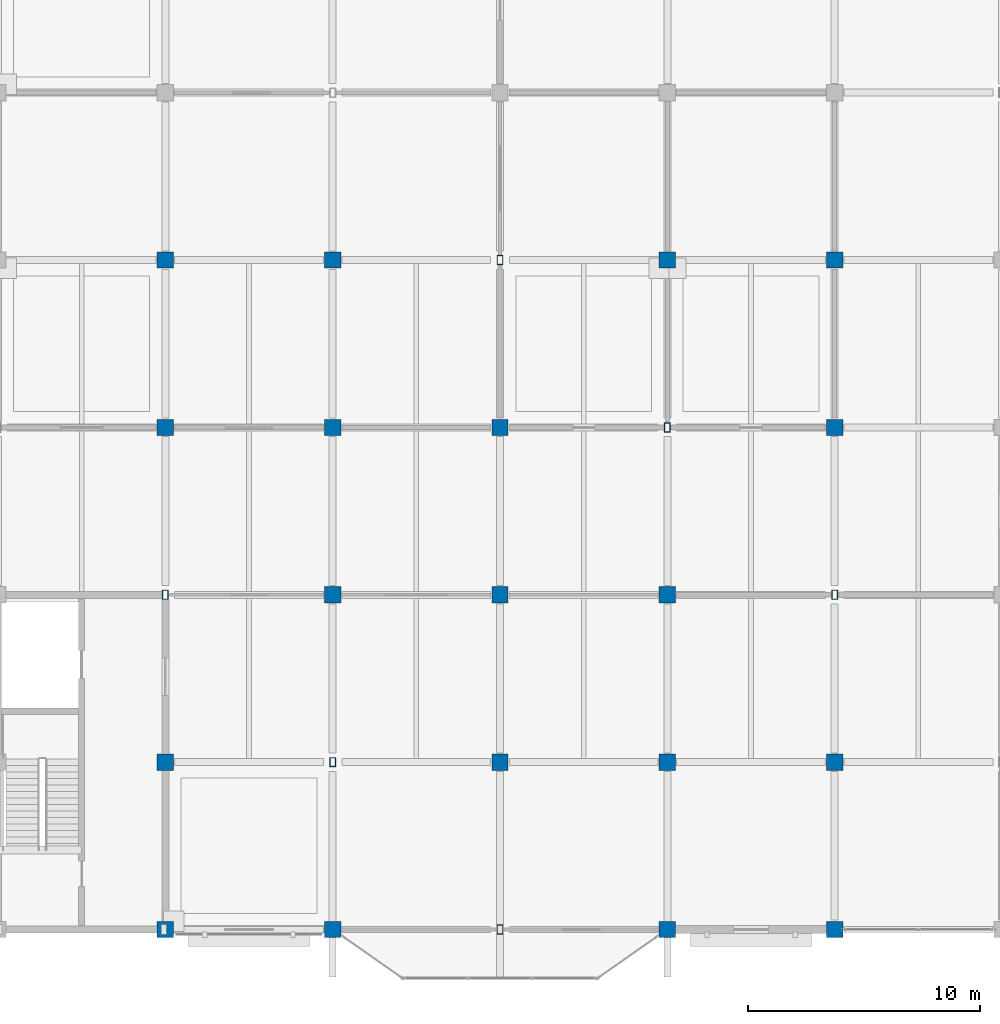
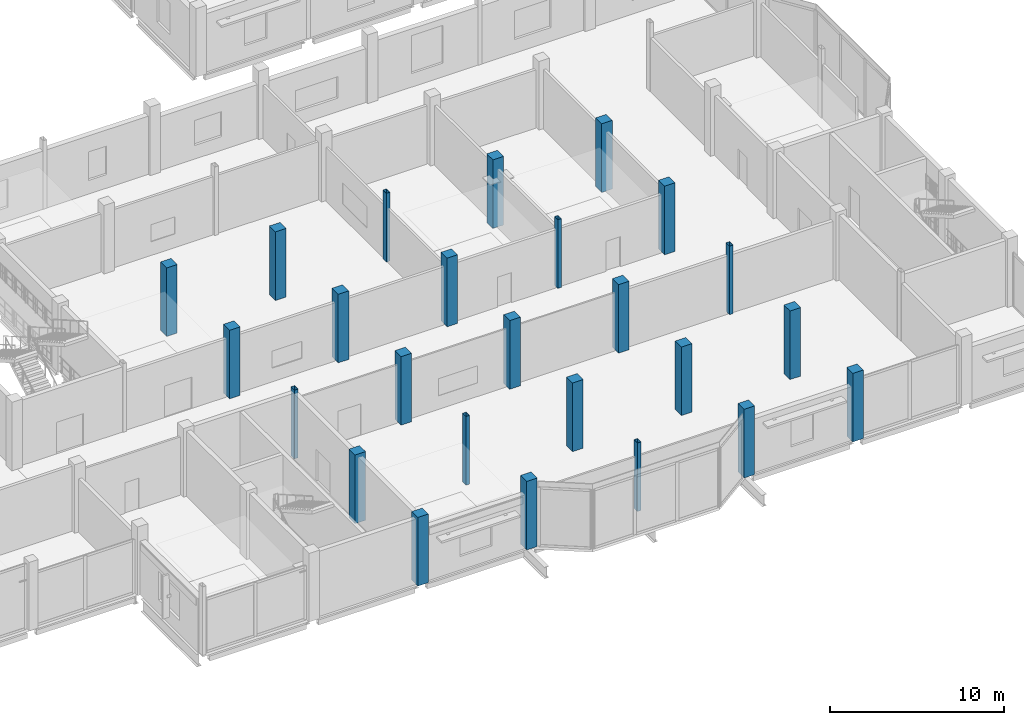
# One storey, part 11 of 120: 25 columns.
"""IFC4 building model written with IfcOpenShell, lengths in metres."""

from ifc_helpers import new_model, si_unit, direction, frame, origin, origin_2d, place, context, subcontext, project, spatial, rectangle, hollow_rectangle, extrude, material, material_profile, profile_set, type_object, element, save


model = new_model("IFC4")

# Units and contexts
model_context = context("Model", 3, precision=1e-05, world=origin(), true_north=direction((0.0, 1.0)))
body_context = subcontext(model_context, "Body", "Model", "MODEL_VIEW")
ifc_project = project(units=[si_unit("LENGTHUNIT", "METRE"), si_unit("AREAUNIT", "SQUARE_METRE"), si_unit("VOLUMEUNIT", "CUBIC_METRE"), si_unit("PLANEANGLEUNIT", "RADIAN"), si_unit("MASSUNIT", "GRAM", prefix="KILO")], contexts=[model_context])

# Site, building, storey
site_placement = place(None, origin())
site = spatial("IfcSite", under=ifc_project, at=site_placement, CompositionType="ELEMENT")
building_placement = place(site_placement, origin())
building = spatial("IfcBuilding", under=site, at=building_placement, Name="Vesperath Aquatics Centre", CompositionType="ELEMENT")
storey_placement = place(building_placement, frame((0.0, 0.0, 10.199951171875)))
storey = spatial("IfcBuildingStorey", under=building, at=storey_placement, Name="L02", CompositionType="ELEMENT", Elevation=10.199951171875)

# Columns
ifc_material_1 = material(Name="Concrete C40", Category="concrete")
ifc_material_profile_1 = material_profile(ifc_material_1, rectangle(XDim=0.699951171875, YDim=0.699951171875, at=origin_2d()), Name="RC 700x700")
ifc_profile_set_1 = profile_set([ifc_material_profile_1], Name="Concrete C40")
column_type_1 = type_object("IfcColumnType", Name="CL-C05", PredefinedType="COLUMN", material=ifc_profile_set_1)
for number, where, z_axis, x_axis, name in (
    (1, (129.60009765625, 0.0, 0.0), (0.0, 0.0, 1.0), (1.0, 0.0, 0.0), "Column C05 L02 19/A"),
    (2, (129.60009765625, 7.199951171875, 0.0), (0.0, 0.0, 1.0), (1.0, 0.0, 0.0), "Column C05 L02 19/B"),
    (3, (129.60009765625, 21.60009765625, 0.0), (0.0, 0.0, 1.0), (1.0, 0.0, 0.0), "Column C05 L02 19/D"),
    (4, (129.60009765625, 28.800048828125, 0.0), (0.0, 0.0, 1.0), (1.0, 0.0, 0.0), "Column C05 L02 19/E"),
    (5, (136.800048828125, 0.0, 0.0), (0.0, 0.0, 1.0), (1.0, 0.0, 0.0), "Column C05 L02 20/A"),
    (6, (136.800048828125, 14.39990234375, 0.0), (0.0, 0.0, 1.0), (1.0, 0.0, 0.0), "Column C05 L02 20/C"),
    (7, (136.800048828125, 21.60009765625, 0.0), (0.0, 0.0, 1.0), (1.0, 0.0, 0.0), "Column C05 L02 20/D"),
    (8, (136.800048828125, 28.800048828125, 0.0), (0.0, 0.0, 1.0), (1.0, 0.0, 0.0), "Column C05 L02 20/E"),
    (9, (144.0, 7.199951171875, 0.0), (0.0, 0.0, 1.0), (1.0, 0.0, 0.0), "Column C05 L02 21/B"),
    (10, (144.0, 14.39990234375, 0.0), (0.0, 0.0, 1.0), (1.0, 0.0, 0.0), "Column C05 L02 21/C"),
    (11, (144.0, 21.60009765625, 0.0), (0.0, 0.0, 1.0), (1.0, 0.0, 0.0), "Column C05 L02 21/D"),
    (12, (151.199951171875, 0.0, 0.0), (0.0, 0.0, 1.0), (1.0, 0.0, 0.0), "Column C05 L02 22/A"),
    (13, (151.199951171875, 7.199951171875, 0.0), (0.0, 0.0, 1.0), (1.0, 0.0, 0.0), "Column C05 L02 22/B"),
    (14, (151.199951171875, 14.39990234375, 0.0), (0.0, 0.0, 1.0), (1.0, 0.0, 0.0), "Column C05 L02 22/C"),
    (15, (151.199951171875, 28.800048828125, 0.0), (0.0, 0.0, 1.0), (1.0, 0.0, 0.0), "Column C05 L02 22/E"),
    (16, (158.39990234375, 0.0, 0.0), (0.0, 0.0, 1.0), (1.0, 0.0, 0.0), "Column C05 L02 23/A"),
    (17, (158.39990234375, 7.199951171875, 0.0), (0.0, 0.0, 1.0), (1.0, 0.0, 0.0), "Column C05 L02 23/B"),
    (18, (158.39990234375, 21.60009765625, 0.0), (0.0, 0.0, 1.0), (1.0, 0.0, 0.0), "Column C05 L02 23/D"),
    (19, (158.39990234375, 28.800048828125, 0.0), (0.0, 0.0, 1.0), (1.0, 0.0, 0.0), "Column C05 L02 23/E"),
):
    element("IfcColumn", number, at=place(storey_placement, frame(where, z_axis=z_axis, x_axis=x_axis)), inside=storey, type_object=column_type_1, Name=name, PredefinedType="COLUMN", context=body_context, shape_type="SweptSolid", body=[
        extrude(rectangle(XDim=0.699951171875, YDim=0.699951171875, at=origin_2d()), origin(), (0.0, 0.0, 1.0), 4.800048828125),
    ])
ifc_material_2 = material(Name="Steel Q355D", Category="steel")
ifc_material_profile_2 = material_profile(ifc_material_2, hollow_rectangle(XDim=0.25, YDim=0.39990234375, WallThickness=0.013916015625, at=origin_2d()), Name="RHS 400x250x14")
ifc_profile_set_2 = profile_set([ifc_material_profile_2], Name="Steel Q355D")
column_type_2 = type_object("IfcColumnType", Name="CL-C15", PredefinedType="COLUMN", material=ifc_profile_set_2)
for number, where, z_axis, x_axis, name in (
    (20, (129.60009765625, 14.39990234375, 0.0), (0.0, 0.0, 1.0), (1.0, 0.0, 0.0), "Column C15 L02 19/C"),
    (21, (136.800048828125, 7.199951171875, 0.0), (0.0, 0.0, 1.0), (1.0, 0.0, 0.0), "Column C15 L02 20/B"),
    (22, (144.0, 0.0, 0.0), (0.0, 0.0, 1.0), (1.0, 0.0, 0.0), "Column C15 L02 21/A"),
    (23, (144.0, 28.800048828125, 0.0), (0.0, 0.0, 1.0), (1.0, 0.0, 0.0), "Column C15 L02 21/E"),
    (24, (151.199951171875, 21.60009765625, 0.0), (0.0, 0.0, 1.0), (1.0, 0.0, 0.0), "Column C15 L02 22/D"),
    (25, (158.39990234375, 14.39990234375, 0.0), (0.0, 0.0, 1.0), (1.0, 0.0, 0.0), "Column C15 L02 23/C"),
):
    element("IfcColumn", number, at=place(storey_placement, frame(where, z_axis=z_axis, x_axis=x_axis)), inside=storey, type_object=column_type_2, Name=name, PredefinedType="COLUMN", context=body_context, shape_type="SweptSolid", body=[
        extrude(hollow_rectangle(XDim=0.25, YDim=0.39990234375, WallThickness=0.013916015625, at=origin_2d()), origin(), (0.0, 0.0, 1.0), 4.800048828125),
    ])

save(model, "model.ifc")
